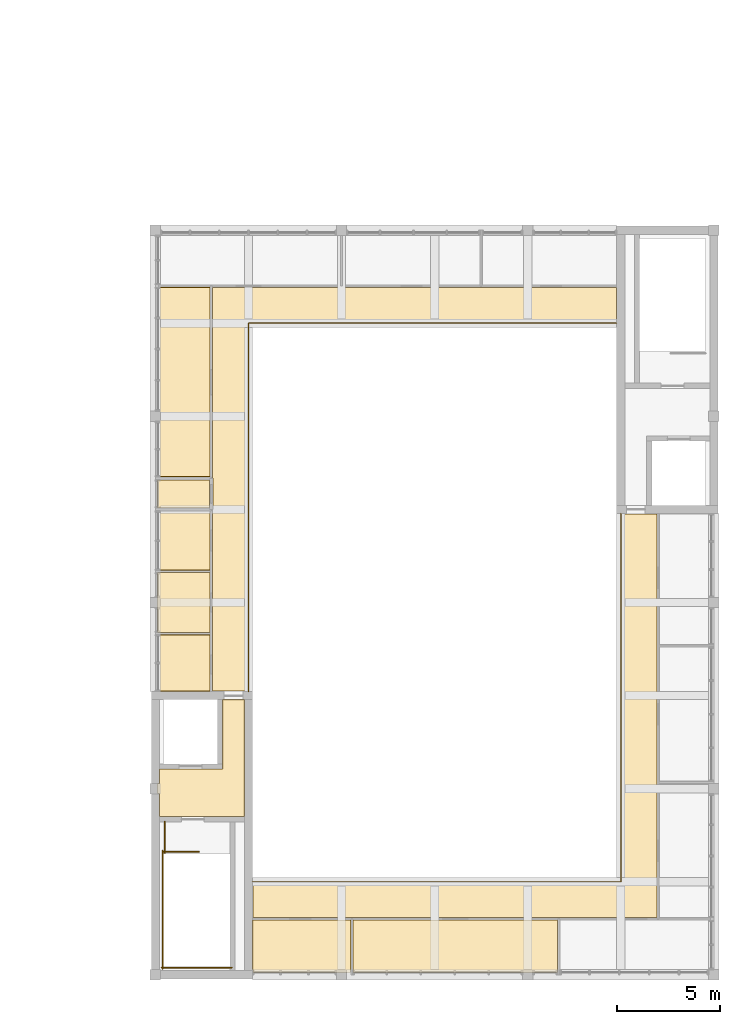
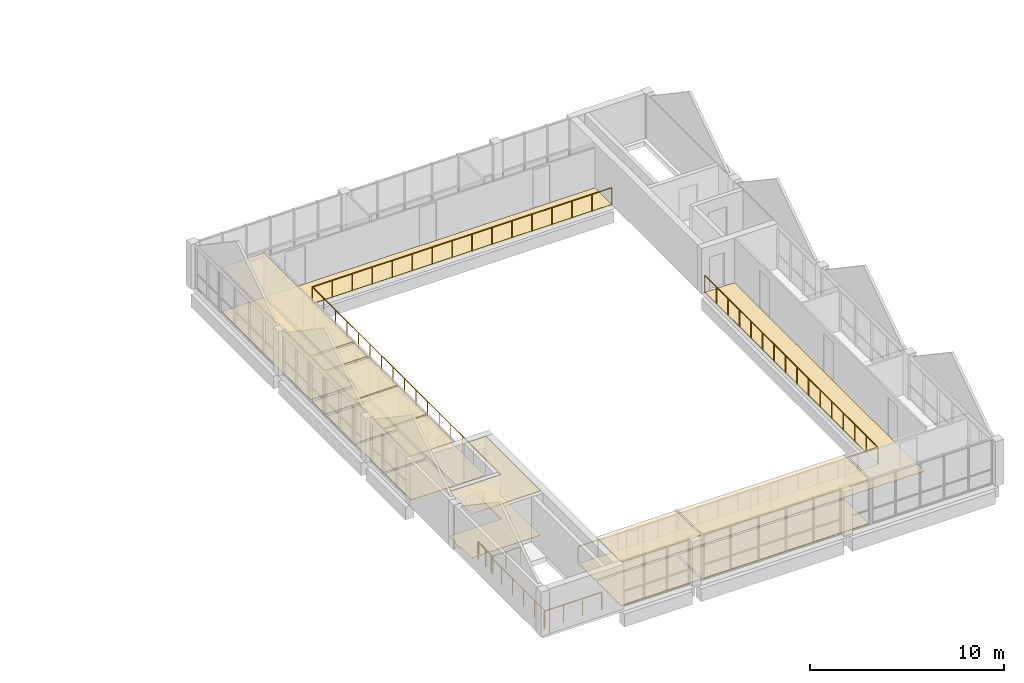
# One storey, part 40 of 50: 18 coverings, 6 railings.
"""IFC4 building model written with IfcOpenShell, lengths in metres."""

from ifc_helpers import new_model, si_unit, direction, frame, origin, origin_2d, place, context, subcontext, project, spatial, polyline, circle, outline, extrude, material, layer, layer_set, type_object, element, save


model = new_model("IFC4")

# Units and contexts
model_context = context("Model", 3, precision=1e-05, world=origin(), true_north=direction((0.0, 1.0)))
body_context = subcontext(model_context, "Body", "Model", "MODEL_VIEW")
ifc_project = project(units=[si_unit("LENGTHUNIT", "METRE"), si_unit("AREAUNIT", "SQUARE_METRE"), si_unit("VOLUMEUNIT", "CUBIC_METRE"), si_unit("PLANEANGLEUNIT", "RADIAN"), si_unit("MASSUNIT", "GRAM", prefix="KILO")], contexts=[model_context])

# Site, building, storey
site_placement = place(None, origin())
site = spatial("IfcSite", under=ifc_project, at=site_placement, CompositionType="ELEMENT")
building_placement = place(site_placement, origin())
building = spatial("IfcBuilding", under=site, at=building_placement, Name="Merrow Basin Faculty of Sciences", CompositionType="ELEMENT")
storey_placement = place(building_placement, frame((0.0, 0.0, 18.0)))
storey = spatial("IfcBuildingStorey", under=building, at=storey_placement, Name="L04", CompositionType="ELEMENT", Elevation=18.0)

# Coverings
ifc_material_1 = material(Name="Carpet tile floor")
ifc_layer_1 = layer(ifc_material_1, 0.02001953125)
ifc_layer_set_1 = layer_set([ifc_layer_1], Name="Carpet tile floor")
covering_type_1 = type_object("IfcCoveringType", Name="Carpet tile floor", PredefinedType="FLOORING", material=ifc_layer_set_1)
covering_1_placement = place(storey_placement, origin())
element("IfcCovering", 1, at=covering_1_placement, inside=storey, type_object=covering_type_1, Name="Floor finish L04-A-007", PredefinedType="FLOORING", context=body_context, shape_type="SweptSolid", body=[
    extrude(outline(polyline([(49.7099609375, 0.110107421875), (49.7099609375, 2.639892578125), (54.43994140625, 2.639892578125), (54.43994140625, 0.110107421875), (49.7099609375, 0.110107421875)])), origin(), (0.0, 0.0, 1.0), 0.02001953125),
])
covering_2_placement = place(storey_placement, origin())
element("IfcCovering", 2, at=covering_2_placement, inside=storey, type_object=covering_type_1, Name="Floor finish L04-A-008", PredefinedType="FLOORING", context=body_context, shape_type="SweptSolid", body=[
    extrude(outline(polyline([(54.56005859375, 0.110107421875), (54.56005859375, 2.639892578125), (64.43994140625, 2.639892578125), (64.43994140625, 0.110107421875), (54.56005859375, 0.110107421875)])), origin(), (0.0, 0.0, 1.0), 0.02001953125),
])
covering_3_placement = place(storey_placement, origin())
element("IfcCovering", 3, at=covering_3_placement, inside=storey, type_object=covering_type_1, Name="Floor finish L04-A-020", PredefinedType="FLOORING", context=body_context, shape_type="SweptSolid", body=[
    extrude(outline(polyline([(45.110107421875, 33.239990234375), (47.639892578125, 33.239990234375), (47.639892578125, 24.0849609375), (45.110107421875, 24.0849609375), (45.110107421875, 33.239990234375)])), origin(), (0.0, 0.0, 1.0), 0.02001953125),
])
covering_4_placement = place(storey_placement, origin())
element("IfcCovering", 4, at=covering_4_placement, inside=storey, type_object=covering_type_1, Name="Floor finish L04-A-021", PredefinedType="FLOORING", context=body_context, shape_type="SweptSolid", body=[
    extrude(outline(polyline([(49.489990234375, 31.510009765625), (49.489990234375, 13.7099609375), (47.760009765625, 13.7099609375), (47.760009765625, 22.489990234375), (47.784912109375, 22.489990234375), (47.784912109375, 24.010009765625), (47.760009765625, 24.010009765625), (47.760009765625, 33.239990234375), (67.2900390625, 33.239990234375), (67.2900390625, 31.510009765625), (49.489990234375, 31.510009765625)])), origin(), (0.0, 0.0, 1.0), 0.02001953125),
])
covering_5_placement = place(storey_placement, origin())
element("IfcCovering", 5, at=covering_5_placement, inside=storey, type_object=covering_type_1, Name="Floor finish L04-A-022", PredefinedType="FLOORING", context=body_context, shape_type="SweptSolid", body=[
    extrude(outline(polyline([(67.510009765625, 4.489990234375), (67.510009765625, 22.2900390625), (69.239990234375, 22.2900390625), (69.239990234375, 2.760009765625), (49.7099609375, 2.760009765625), (49.7099609375, 4.489990234375), (67.510009765625, 4.489990234375)])), origin(), (0.0, 0.0, 1.0), 0.02001953125),
])
ifc_material_2 = material(Name="Ceramic floor tile")
ifc_layer_2 = layer(ifc_material_2, 0.02001953125)
ifc_layer_set_2 = layer_set([ifc_layer_2], Name="Ceramic floor tile")
covering_type_2 = type_object("IfcCoveringType", Name="Ceramic floor tile", PredefinedType="FLOORING", material=ifc_layer_set_2)
covering_6_placement = place(storey_placement, origin())
element("IfcCovering", 6, at=covering_6_placement, inside=storey, type_object=covering_type_2, Name="Floor finish L04-A-016", PredefinedType="FLOORING", context=body_context, shape_type="SweptSolid", body=[
    extrude(outline(polyline([(45.110107421875, 16.43994140625), (47.639892578125, 16.43994140625), (47.639892578125, 13.7099609375), (45.110107421875, 13.7099609375), (45.110107421875, 16.43994140625)])), origin(), (0.0, 0.0, 1.0), 0.02001953125),
])
covering_7_placement = place(storey_placement, origin())
element("IfcCovering", 7, at=covering_7_placement, inside=storey, type_object=covering_type_2, Name="Floor finish L04-A-017", PredefinedType="FLOORING", context=body_context, shape_type="SweptSolid", body=[
    extrude(outline(polyline([(47.639892578125, 19.43994140625), (47.639892578125, 16.56005859375), (45.110107421875, 16.56005859375), (45.110107421875, 19.43994140625), (47.639892578125, 19.43994140625)])), origin(), (0.0, 0.0, 1.0), 0.02001953125),
])
covering_8_placement = place(storey_placement, origin())
element("IfcCovering", 8, at=covering_8_placement, inside=storey, type_object=covering_type_2, Name="Floor finish L04-A-018", PredefinedType="FLOORING", context=body_context, shape_type="SweptSolid", body=[
    extrude(outline(polyline([(47.639892578125, 19.56005859375), (45.110107421875, 19.56005859375), (45.110107421875, 22.4150390625), (47.639892578125, 22.4150390625), (47.639892578125, 19.56005859375)])), origin(), (0.0, 0.0, 1.0), 0.02001953125),
])
ifc_material_3 = material(Name="Polished terrazzo floor")
ifc_layer_3 = layer(ifc_material_3, 0.02001953125)
ifc_layer_set_3 = layer_set([ifc_layer_3], Name="Polished terrazzo floor")
covering_type_3 = type_object("IfcCoveringType", Name="Polished terrazzo floor", PredefinedType="FLOORING", material=ifc_layer_set_3)
covering_9_placement = place(storey_placement, origin())
element("IfcCovering", 9, at=covering_9_placement, inside=storey, type_object=covering_type_3, Name="Floor finish L04-A-003", PredefinedType="FLOORING", context=body_context, shape_type="SweptSolid", body=[
    extrude(outline(polyline([(45.110107421875, 9.239990234375), (45.2099609375, 9.239990234375), (45.2099609375, 9.93994140625), (48.260009765625, 9.93994140625), (48.260009765625, 13.2900390625), (49.2900390625, 13.2900390625), (49.2900390625, 7.659912109375), (45.2099609375, 7.659912109375), (45.2099609375, 8.760009765625), (45.110107421875, 8.760009765625), (45.110107421875, 9.239990234375)])), origin(), (0.0, 0.0, 1.0), 0.02001953125),
])
ifc_material_4 = material(Name="Sealed concrete floor", Category="concrete")
ifc_layer_4 = layer(ifc_material_4, 0.02001953125)
ifc_layer_set_4 = layer_set([ifc_layer_4], Name="Sealed concrete floor")
covering_type_4 = type_object("IfcCoveringType", Name="Sealed concrete floor", PredefinedType="FLOORING", material=ifc_layer_set_4)
covering_10_placement = place(storey_placement, origin())
element("IfcCovering", 10, at=covering_10_placement, inside=storey, type_object=covering_type_4, Name="Floor finish L04-A-019", PredefinedType="FLOORING", context=body_context, shape_type="SweptSolid", body=[
    extrude(outline(polyline([(45.110107421875, 23.9150390625), (47.614990234375, 23.9150390625), (47.614990234375, 22.5849609375), (45.110107421875, 22.5849609375), (45.110107421875, 23.9150390625)])), origin(), (0.0, 0.0, 1.0), 0.02001953125),
])

# Railings
ifc_material_5 = material(Name="Steel ASTM A36", Category="steel")
railing_type = type_object("IfcRailingType", Name="Steel guard 1100", PredefinedType="GUARDRAIL", material=ifc_material_5)
railing_1_placement = place(storey_placement, frame((45.39990234375, 5.949951171875, 0.0)))
element("IfcRailing", 11, at=railing_1_placement, inside=storey, type_object=railing_type, Name="L04 ST-V3-W top well guard 1", PredefinedType="GUARDRAIL", context=body_context, shape_type="SweptSolid", body=[
    extrude(circle(Radius=0.02392578125, at=origin_2d()), frame((0.0, 0.0, 1.076171875), z_axis=(1.0, 0.0, 0.0), x_axis=(0.0, 1.0, 0.0)), (0.0, 0.0, 1.0), 1.7001953125),
    extrude(circle(Radius=0.02099609375, at=origin_2d()), origin(), (0.0, 0.0, 1.0), 1.052001953125),
    extrude(circle(Radius=0.02099609375, at=origin_2d()), frame((0.85009765625, 0.0, 0.0)), (0.0, 0.0, 1.0), 1.052001953125),
    extrude(circle(Radius=0.02099609375, at=origin_2d()), frame((1.7001953125, 0.0, 0.0)), (0.0, 0.0, 1.0), 1.052001953125),
])
railing_2_placement = place(storey_placement, frame((45.35009765625, 6.0, 0.0)))
element("IfcRailing", 12, at=railing_2_placement, inside=storey, type_object=railing_type, Name="L04 ST-V3-W top well guard 2", PredefinedType="GUARDRAIL", context=body_context, shape_type="SweptSolid", body=[
    extrude(circle(Radius=0.02392578125, at=origin_2d()), frame((0.0, 0.0, 1.076171875), z_axis=(0.0, -1.0, 0.0), x_axis=(1.0, 0.0, 0.0)), (0.0, 0.0, 1.0), 5.699951171875),
    extrude(circle(Radius=0.02099609375, at=origin_2d()), origin(), (0.0, 0.0, 1.0), 1.052001953125),
    extrude(circle(Radius=0.02099609375, at=origin_2d()), frame((0.0, -1.139892578125, 0.0)), (0.0, 0.0, 1.0), 1.052001953125),
    extrude(circle(Radius=0.02099609375, at=origin_2d()), frame((0.0, -2.280029296875, 0.0)), (0.0, 0.0, 1.0), 1.052001953125),
    extrude(circle(Radius=0.02099609375, at=origin_2d()), frame((0.0, -3.419921875, 0.0)), (0.0, 0.0, 1.0), 1.052001953125),
    extrude(circle(Radius=0.02099609375, at=origin_2d()), frame((0.0, -4.56005859375, 0.0)), (0.0, 0.0, 1.0), 1.052001953125),
    extrude(circle(Radius=0.02099609375, at=origin_2d()), frame((0.0, -5.699951171875, 0.0)), (0.0, 0.0, 1.0), 1.052001953125),
])
railing_3_placement = place(storey_placement, frame((45.300048828125, 0.35009765625, 0.0)))
element("IfcRailing", 13, at=railing_3_placement, inside=storey, type_object=railing_type, Name="L04 ST-V3-W top well guard 3", PredefinedType="GUARDRAIL", context=body_context, shape_type="SweptSolid", body=[
    extrude(circle(Radius=0.02392578125, at=origin_2d()), frame((0.0, 0.0, 1.076171875), z_axis=(1.0, 0.0, 0.0), x_axis=(0.0, 1.0, 0.0)), (0.0, 0.0, 1.0), 3.39990234375),
    extrude(circle(Radius=0.02099609375, at=origin_2d()), origin(), (0.0, 0.0, 1.0), 1.052001953125),
    extrude(circle(Radius=0.02099609375, at=origin_2d()), frame((1.13330078125, 0.0, 0.0)), (0.0, 0.0, 1.0), 1.052001953125),
    extrude(circle(Radius=0.02099609375, at=origin_2d()), frame((2.2666015625, 0.0, 0.0)), (0.0, 0.0, 1.0), 1.052001953125),
    extrude(circle(Radius=0.02099609375, at=origin_2d()), frame((3.39990234375, 0.0, 0.0)), (0.0, 0.0, 1.0), 1.052001953125),
])
railing_4_placement = place(storey_placement, frame((45.449951171875, 7.39990234375, 0.0)))
element("IfcRailing", 14, at=railing_4_placement, inside=storey, type_object=railing_type, Name="L04 ST-V3-W top well guard 4", PredefinedType="GUARDRAIL", context=body_context, shape_type="SweptSolid", body=[
    extrude(circle(Radius=0.02392578125, at=origin_2d()), frame((0.0, 0.0, 1.076171875), z_axis=(0.0, -1.0, 0.0), x_axis=(1.0, 0.0, 0.0)), (0.0, 0.0, 1.0), 1.5),
    extrude(circle(Radius=0.02099609375, at=origin_2d()), origin(), (0.0, 0.0, 1.0), 1.052001953125),
    extrude(circle(Radius=0.02099609375, at=origin_2d()), frame((0.0, -0.75, 0.0)), (0.0, 0.0, 1.0), 1.052001953125),
    extrude(circle(Radius=0.02099609375, at=origin_2d()), frame((0.0, -1.5, 0.0)), (0.0, 0.0, 1.0), 1.052001953125),
])
railing_5_placement = place(storey_placement, frame((49.5, 13.699951171875, 0.0)))
element("IfcRailing", 15, at=railing_5_placement, inside=storey, type_object=railing_type, Name="Gallery guard L04", PredefinedType="GUARDRAIL", context=body_context, shape_type="SweptSolid", body=[
    extrude(circle(Radius=0.02392578125, at=origin_2d()), frame((0.0, 0.0, 1.076171875), z_axis=(0.0, 1.0, 0.0), x_axis=(-1.0, 0.0, 0.0)), (0.0, 0.0, 1.0), 17.800048828125),
    extrude(circle(Radius=0.02392578125, at=origin_2d()), frame((0.0, 17.800048828125, 1.076171875), z_axis=(1.0, 0.0, 0.0), x_axis=(0.0, 1.0, 0.0)), (0.0, 0.0, 1.0), 17.800048828125),
    extrude(circle(Radius=0.02099609375, at=origin_2d()), origin(), (0.0, 0.0, 1.0), 1.052001953125),
    extrude(circle(Radius=0.02099609375, at=origin_2d()), frame((0.0, 1.186767578125, 0.0)), (0.0, 0.0, 1.0), 1.052001953125),
    extrude(circle(Radius=0.02099609375, at=origin_2d()), frame((0.0, 2.373291015625, 0.0)), (0.0, 0.0, 1.0), 1.052001953125),
    extrude(circle(Radius=0.02099609375, at=origin_2d()), frame((0.0, 3.56005859375, 0.0)), (0.0, 0.0, 1.0), 1.052001953125),
    extrude(circle(Radius=0.02099609375, at=origin_2d()), frame((0.0, 4.74658203125, 0.0)), (0.0, 0.0, 1.0), 1.052001953125),
    extrude(circle(Radius=0.02099609375, at=origin_2d()), frame((0.0, 5.933349609375, 0.0)), (0.0, 0.0, 1.0), 1.052001953125),
    extrude(circle(Radius=0.02099609375, at=origin_2d()), frame((0.0, 7.1201171875, 0.0)), (0.0, 0.0, 1.0), 1.052001953125),
    extrude(circle(Radius=0.02099609375, at=origin_2d()), frame((0.0, 8.306640625, 0.0)), (0.0, 0.0, 1.0), 1.052001953125),
    extrude(circle(Radius=0.02099609375, at=origin_2d()), frame((0.0, 9.493408203125, 0.0)), (0.0, 0.0, 1.0), 1.052001953125),
    extrude(circle(Radius=0.02099609375, at=origin_2d()), frame((0.0, 10.679931640625, 0.0)), (0.0, 0.0, 1.0), 1.052001953125),
    extrude(circle(Radius=0.02099609375, at=origin_2d()), frame((0.0, 11.86669921875, 0.0)), (0.0, 0.0, 1.0), 1.052001953125),
    extrude(circle(Radius=0.02099609375, at=origin_2d()), frame((0.0, 13.053466796875, 0.0)), (0.0, 0.0, 1.0), 1.052001953125),
    extrude(circle(Radius=0.02099609375, at=origin_2d()), frame((0.0, 14.239990234375, 0.0)), (0.0, 0.0, 1.0), 1.052001953125),
    extrude(circle(Radius=0.02099609375, at=origin_2d()), frame((0.0, 15.4267578125, 0.0)), (0.0, 0.0, 1.0), 1.052001953125),
    extrude(circle(Radius=0.02099609375, at=origin_2d()), frame((0.0, 16.61328125, 0.0)), (0.0, 0.0, 1.0), 1.052001953125),
    extrude(circle(Radius=0.02099609375, at=origin_2d()), frame((0.0, 17.800048828125, 0.0)), (0.0, 0.0, 1.0), 1.052001953125),
    extrude(circle(Radius=0.02099609375, at=origin_2d()), frame((1.186767578125, 17.800048828125, 0.0)), (0.0, 0.0, 1.0), 1.052001953125),
    extrude(circle(Radius=0.02099609375, at=origin_2d()), frame((2.373291015625, 17.800048828125, 0.0)), (0.0, 0.0, 1.0), 1.052001953125),
    extrude(circle(Radius=0.02099609375, at=origin_2d()), frame((3.56005859375, 17.800048828125, 0.0)), (0.0, 0.0, 1.0), 1.052001953125),
    extrude(circle(Radius=0.02099609375, at=origin_2d()), frame((4.74658203125, 17.800048828125, 0.0)), (0.0, 0.0, 1.0), 1.052001953125),
    extrude(circle(Radius=0.02099609375, at=origin_2d()), frame((5.933349609375, 17.800048828125, 0.0)), (0.0, 0.0, 1.0), 1.052001953125),
    extrude(circle(Radius=0.02099609375, at=origin_2d()), frame((7.1201171875, 17.800048828125, 0.0)), (0.0, 0.0, 1.0), 1.052001953125),
    extrude(circle(Radius=0.02099609375, at=origin_2d()), frame((8.306640625, 17.800048828125, 0.0)), (0.0, 0.0, 1.0), 1.052001953125),
    extrude(circle(Radius=0.02099609375, at=origin_2d()), frame((9.493408203125, 17.800048828125, 0.0)), (0.0, 0.0, 1.0), 1.052001953125),
    extrude(circle(Radius=0.02099609375, at=origin_2d()), frame((10.679931640625, 17.800048828125, 0.0)), (0.0, 0.0, 1.0), 1.052001953125),
    extrude(circle(Radius=0.02099609375, at=origin_2d()), frame((11.86669921875, 17.800048828125, 0.0)), (0.0, 0.0, 1.0), 1.052001953125),
    extrude(circle(Radius=0.02099609375, at=origin_2d()), frame((13.053466796875, 17.800048828125, 0.0)), (0.0, 0.0, 1.0), 1.052001953125),
    extrude(circle(Radius=0.02099609375, at=origin_2d()), frame((14.239990234375, 17.800048828125, 0.0)), (0.0, 0.0, 1.0), 1.052001953125),
    extrude(circle(Radius=0.02099609375, at=origin_2d()), frame((15.4267578125, 17.800048828125, 0.0)), (0.0, 0.0, 1.0), 1.052001953125),
    extrude(circle(Radius=0.02099609375, at=origin_2d()), frame((16.61328125, 17.800048828125, 0.0)), (0.0, 0.0, 1.0), 1.052001953125),
    extrude(circle(Radius=0.02099609375, at=origin_2d()), frame((17.800048828125, 17.800048828125, 0.0)), (0.0, 0.0, 1.0), 1.052001953125),
])
railing_6_placement = place(storey_placement, frame((67.5, 22.300048828125, 0.0)))
element("IfcRailing", 16, at=railing_6_placement, inside=storey, type_object=railing_type, Name="Gallery guard L04", PredefinedType="GUARDRAIL", context=body_context, shape_type="SweptSolid", body=[
    extrude(circle(Radius=0.02392578125, at=origin_2d()), frame((0.0, 0.0, 1.076171875), z_axis=(0.0, -1.0, 0.0), x_axis=(1.0, 0.0, 0.0)), (0.0, 0.0, 1.0), 17.800048828125),
    extrude(circle(Radius=0.02392578125, at=origin_2d()), frame((0.0, -17.800048828125, 1.076171875), z_axis=(-1.0, 0.0, 0.0), x_axis=(0.0, -1.0, 0.0)), (0.0, 0.0, 1.0), 17.800048828125),
    extrude(circle(Radius=0.02099609375, at=origin_2d()), origin(), (0.0, 0.0, 1.0), 1.052001953125),
    extrude(circle(Radius=0.02099609375, at=origin_2d()), frame((0.0, -1.186767578125, 0.0)), (0.0, 0.0, 1.0), 1.052001953125),
    extrude(circle(Radius=0.02099609375, at=origin_2d()), frame((0.0, -2.373291015625, 0.0)), (0.0, 0.0, 1.0), 1.052001953125),
    extrude(circle(Radius=0.02099609375, at=origin_2d()), frame((0.0, -3.56005859375, 0.0)), (0.0, 0.0, 1.0), 1.052001953125),
    extrude(circle(Radius=0.02099609375, at=origin_2d()), frame((0.0, -4.74658203125, 0.0)), (0.0, 0.0, 1.0), 1.052001953125),
    extrude(circle(Radius=0.02099609375, at=origin_2d()), frame((0.0, -5.933349609375, 0.0)), (0.0, 0.0, 1.0), 1.052001953125),
    extrude(circle(Radius=0.02099609375, at=origin_2d()), frame((0.0, -7.1201171875, 0.0)), (0.0, 0.0, 1.0), 1.052001953125),
    extrude(circle(Radius=0.02099609375, at=origin_2d()), frame((0.0, -8.306640625, 0.0)), (0.0, 0.0, 1.0), 1.052001953125),
    extrude(circle(Radius=0.02099609375, at=origin_2d()), frame((0.0, -9.493408203125, 0.0)), (0.0, 0.0, 1.0), 1.052001953125),
    extrude(circle(Radius=0.02099609375, at=origin_2d()), frame((0.0, -10.679931640625, 0.0)), (0.0, 0.0, 1.0), 1.052001953125),
    extrude(circle(Radius=0.02099609375, at=origin_2d()), frame((0.0, -11.86669921875, 0.0)), (0.0, 0.0, 1.0), 1.052001953125),
    extrude(circle(Radius=0.02099609375, at=origin_2d()), frame((0.0, -13.053466796875, 0.0)), (0.0, 0.0, 1.0), 1.052001953125),
    extrude(circle(Radius=0.02099609375, at=origin_2d()), frame((0.0, -14.239990234375, 0.0)), (0.0, 0.0, 1.0), 1.052001953125),
    extrude(circle(Radius=0.02099609375, at=origin_2d()), frame((0.0, -15.4267578125, 0.0)), (0.0, 0.0, 1.0), 1.052001953125),
    extrude(circle(Radius=0.02099609375, at=origin_2d()), frame((0.0, -16.61328125, 0.0)), (0.0, 0.0, 1.0), 1.052001953125),
    extrude(circle(Radius=0.02099609375, at=origin_2d()), frame((0.0, -17.800048828125, 0.0)), (0.0, 0.0, 1.0), 1.052001953125),
    extrude(circle(Radius=0.02099609375, at=origin_2d()), frame((-1.186767578125, -17.800048828125, 0.0)), (0.0, 0.0, 1.0), 1.052001953125),
    extrude(circle(Radius=0.02099609375, at=origin_2d()), frame((-2.373291015625, -17.800048828125, 0.0)), (0.0, 0.0, 1.0), 1.052001953125),
    extrude(circle(Radius=0.02099609375, at=origin_2d()), frame((-3.56005859375, -17.800048828125, 0.0)), (0.0, 0.0, 1.0), 1.052001953125),
    extrude(circle(Radius=0.02099609375, at=origin_2d()), frame((-4.74658203125, -17.800048828125, 0.0)), (0.0, 0.0, 1.0), 1.052001953125),
    extrude(circle(Radius=0.02099609375, at=origin_2d()), frame((-5.933349609375, -17.800048828125, 0.0)), (0.0, 0.0, 1.0), 1.052001953125),
    extrude(circle(Radius=0.02099609375, at=origin_2d()), frame((-7.1201171875, -17.800048828125, 0.0)), (0.0, 0.0, 1.0), 1.052001953125),
    extrude(circle(Radius=0.02099609375, at=origin_2d()), frame((-8.306640625, -17.800048828125, 0.0)), (0.0, 0.0, 1.0), 1.052001953125),
    extrude(circle(Radius=0.02099609375, at=origin_2d()), frame((-9.493408203125, -17.800048828125, 0.0)), (0.0, 0.0, 1.0), 1.052001953125),
    extrude(circle(Radius=0.02099609375, at=origin_2d()), frame((-10.679931640625, -17.800048828125, 0.0)), (0.0, 0.0, 1.0), 1.052001953125),
    extrude(circle(Radius=0.02099609375, at=origin_2d()), frame((-11.86669921875, -17.800048828125, 0.0)), (0.0, 0.0, 1.0), 1.052001953125),
    extrude(circle(Radius=0.02099609375, at=origin_2d()), frame((-13.053466796875, -17.800048828125, 0.0)), (0.0, 0.0, 1.0), 1.052001953125),
    extrude(circle(Radius=0.02099609375, at=origin_2d()), frame((-14.239990234375, -17.800048828125, 0.0)), (0.0, 0.0, 1.0), 1.052001953125),
    extrude(circle(Radius=0.02099609375, at=origin_2d()), frame((-15.4267578125, -17.800048828125, 0.0)), (0.0, 0.0, 1.0), 1.052001953125),
    extrude(circle(Radius=0.02099609375, at=origin_2d()), frame((-16.61328125, -17.800048828125, 0.0)), (0.0, 0.0, 1.0), 1.052001953125),
    extrude(circle(Radius=0.02099609375, at=origin_2d()), frame((-17.800048828125, -17.800048828125, 0.0)), (0.0, 0.0, 1.0), 1.052001953125),
])

# Coverings
ifc_material_6 = material(Name="Mineral fibre ceiling tile")
ifc_layer_5 = layer(ifc_material_6, 0.050048828125)
ifc_layer_set_5 = layer_set([ifc_layer_5], Name="Suspended acoustic ceiling tile")
covering_type_5 = type_object("IfcCoveringType", Name="Suspended acoustic ceiling tile", PredefinedType="CEILING", material=ifc_layer_set_5)
covering_11_placement = place(storey_placement, frame((0.0, 0.0, 2.75)))
element("IfcCovering", 17, at=covering_11_placement, inside=storey, type_object=covering_type_5, Name="Ceiling L04-A-003", PredefinedType="CEILING", context=body_context, shape_type="SweptSolid", body=[
    extrude(outline(polyline([(45.10009765625, 9.25), (45.199951171875, 9.25), (45.199951171875, 9.949951171875), (48.25, 9.949951171875), (48.25, 13.300048828125), (49.300048828125, 13.300048828125), (49.300048828125, 7.64990234375), (45.199951171875, 7.64990234375), (45.199951171875, 8.75), (45.10009765625, 8.75), (45.10009765625, 9.25)])), origin(), (0.0, 0.0, 1.0), 0.050048828125),
])
covering_12_placement = place(storey_placement, frame((0.0, 0.0, 2.75)))
element("IfcCovering", 18, at=covering_12_placement, inside=storey, type_object=covering_type_5, Name="Ceiling L04-A-007", PredefinedType="CEILING", context=body_context, shape_type="SweptSolid", body=[
    extrude(outline(polyline([(49.699951171875, 0.10009765625), (49.699951171875, 2.64990234375), (54.449951171875, 2.64990234375), (54.449951171875, 0.10009765625), (49.699951171875, 0.10009765625)])), origin(), (0.0, 0.0, 1.0), 0.050048828125),
])
covering_13_placement = place(storey_placement, frame((0.0, 0.0, 2.75)))
element("IfcCovering", 19, at=covering_13_placement, inside=storey, type_object=covering_type_5, Name="Ceiling L04-A-008", PredefinedType="CEILING", context=body_context, shape_type="SweptSolid", body=[
    extrude(outline(polyline([(54.550048828125, 0.10009765625), (54.550048828125, 2.64990234375), (64.449951171875, 2.64990234375), (64.449951171875, 0.10009765625), (54.550048828125, 0.10009765625)])), origin(), (0.0, 0.0, 1.0), 0.050048828125),
])
covering_14_placement = place(storey_placement, frame((0.0, 0.0, 2.75)))
element("IfcCovering", 20, at=covering_14_placement, inside=storey, type_object=covering_type_5, Name="Ceiling L04-A-016", PredefinedType="CEILING", context=body_context, shape_type="SweptSolid", body=[
    extrude(outline(polyline([(45.10009765625, 16.449951171875), (47.64990234375, 16.449951171875), (47.64990234375, 13.699951171875), (45.10009765625, 13.699951171875), (45.10009765625, 16.449951171875)])), origin(), (0.0, 0.0, 1.0), 0.050048828125),
])
covering_15_placement = place(storey_placement, frame((0.0, 0.0, 2.75)))
element("IfcCovering", 21, at=covering_15_placement, inside=storey, type_object=covering_type_5, Name="Ceiling L04-A-017", PredefinedType="CEILING", context=body_context, shape_type="SweptSolid", body=[
    extrude(outline(polyline([(47.64990234375, 19.449951171875), (47.64990234375, 16.550048828125), (45.10009765625, 16.550048828125), (45.10009765625, 19.449951171875), (47.64990234375, 19.449951171875)])), origin(), (0.0, 0.0, 1.0), 0.050048828125),
])
covering_16_placement = place(storey_placement, frame((0.0, 0.0, 2.75)))
element("IfcCovering", 22, at=covering_16_placement, inside=storey, type_object=covering_type_5, Name="Ceiling L04-A-018", PredefinedType="CEILING", context=body_context, shape_type="SweptSolid", body=[
    extrude(outline(polyline([(47.64990234375, 19.550048828125), (45.10009765625, 19.550048828125), (45.10009765625, 22.425048828125), (47.64990234375, 22.425048828125), (47.64990234375, 19.550048828125)])), origin(), (0.0, 0.0, 1.0), 0.050048828125),
])
covering_17_placement = place(storey_placement, frame((0.0, 0.0, 2.75)))
element("IfcCovering", 23, at=covering_17_placement, inside=storey, type_object=covering_type_5, Name="Ceiling L04-A-019", PredefinedType="CEILING", context=body_context, shape_type="SweptSolid", body=[
    extrude(outline(polyline([(45.10009765625, 23.925048828125), (47.625, 23.925048828125), (47.625, 22.574951171875), (45.10009765625, 22.574951171875), (45.10009765625, 23.925048828125)])), origin(), (0.0, 0.0, 1.0), 0.050048828125),
])
covering_18_placement = place(storey_placement, frame((0.0, 0.0, 2.75)))
element("IfcCovering", 24, at=covering_18_placement, inside=storey, type_object=covering_type_5, Name="Ceiling L04-A-020", PredefinedType="CEILING", context=body_context, shape_type="SweptSolid", body=[
    extrude(outline(polyline([(45.10009765625, 33.25), (47.64990234375, 33.25), (47.64990234375, 24.074951171875), (45.10009765625, 24.074951171875), (45.10009765625, 33.25)])), origin(), (0.0, 0.0, 1.0), 0.050048828125),
])

save(model, "model.ifc")
